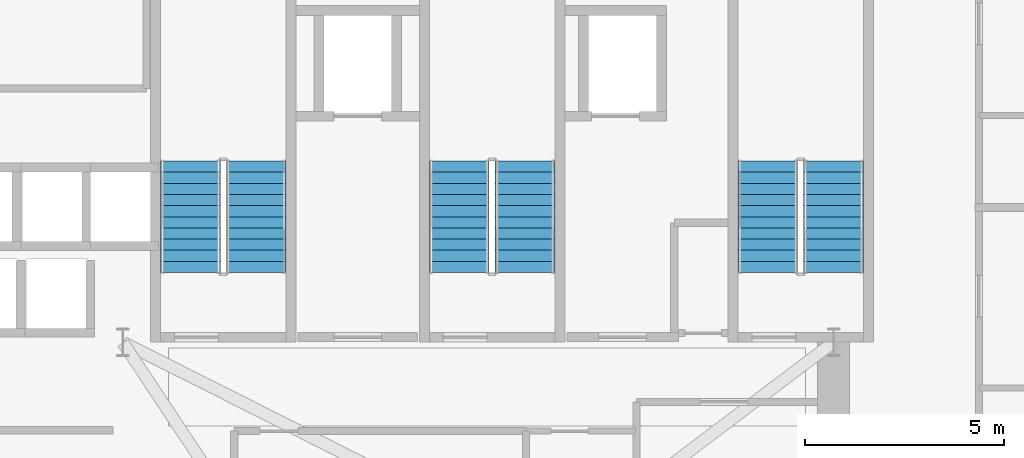
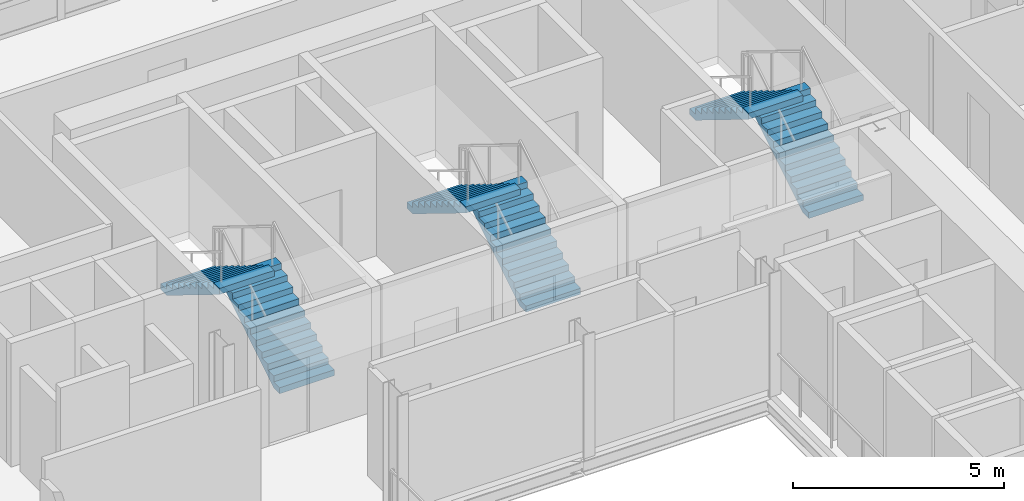
# One storey, part 11 of 14: 6 stair flights, 3 elements without a shape of their own.
"""IFC4 building model written with IfcOpenShell, lengths in metres."""

import ifcopenshell
import ifcopenshell.guid

model = None  # the IFC model being written
_history = None  # IfcOwnerHistory: only IFC2X3 demands one
_inside = {}  # id of a spatial element -> (the spatial element, [elements in it])
_under = {}  # id of a project, library or spatial element -> (it, [spatial elements below it])
_declared = {}  # id of a project -> (the project, [libraries it declares])
_typed = {}  # id of a type object -> (the type object, [elements of that type])
_made_of = {}  # id of a material, layer set ... -> (it, [elements and type objects made of it])


def new_model(schema):
    """Start an empty IFC model of exactly this schema.

    Asked for "IFC4X3", IfcOpenShell would pick the latest addendum, in which some entities
    have other attributes; the version numbers below select the first issue.
    IFC2X3 requires an IfcOwnerHistory on every rooted entity: one is made here for all.
    """
    global model, _history
    if schema == "IFC4X3":
        model = ifcopenshell.file(schema_version=(4, 3, 0, 0))
    else:
        model = ifcopenshell.file(schema=schema)
    _inside.clear()
    _under.clear()
    _declared.clear()
    _typed.clear()
    _made_of.clear()
    _history = None
    if model.schema == "IFC2X3":
        org = make("IfcOrganization", Name="unknown")
        user = make(
            "IfcPersonAndOrganization",
            ThePerson=make("IfcPerson", FamilyName="unknown"),
            TheOrganization=org,
        )
        app = make(
            "IfcApplication",
            ApplicationDeveloper=org,
            Version="unknown",
            ApplicationFullName="unknown",
            ApplicationIdentifier="unknown",
        )
        _history = make(
            "IfcOwnerHistory",
            OwningUser=user,
            OwningApplication=app,
            ChangeAction="ADDED",
            CreationDate=0,
        )
    return model


def make(cls, **values):
    """One entity of the class cls with the attributes given. An attribute that is None is left unset."""
    return model.create_entity(
        cls, **{name: value for name, value in values.items() if value is not None}
    )


def rooted(cls, **values):
    """An entity with a GlobalId (a new one), such as an element, a storey or a relation."""
    return make(cls, GlobalId=ifcopenshell.guid.new(), OwnerHistory=_history, **values)


def si_unit(unit_type, name, prefix=None):
    """IfcSIUnit, for example si_unit("LENGTHUNIT", "METRE", prefix="MILLI")."""
    return make("IfcSIUnit", UnitType=unit_type, Prefix=prefix, Name=name)


def assignment(units):
    """IfcUnitAssignment: the units of a project."""
    return None if units is None else make("IfcUnitAssignment", Units=units)


def point(xyz):
    """IfcCartesianPoint."""
    return None if xyz is None else make("IfcCartesianPoint", Coordinates=xyz)


def direction(xyz):
    """IfcDirection."""
    return None if xyz is None else make("IfcDirection", DirectionRatios=xyz)


def frame(location, z_axis=None, x_axis=None):
    """IfcAxis2Placement3D, a coordinate frame: its origin and axes. An axis left out is left unset."""
    return make(
        "IfcAxis2Placement3D",
        Location=point(location),
        Axis=direction(z_axis),
        RefDirection=direction(x_axis),
    )


def origin():
    """The frame at (0, 0, 0) with its axes left unset."""
    return frame((0.0, 0.0, 0.0))


def place(relative_to, where):
    """IfcLocalPlacement: puts the frame where relative to a parent placement (None: the world)."""
    return make(
        "IfcLocalPlacement", PlacementRelTo=relative_to, RelativePlacement=where
    )


def context(
    kind, dimensions, precision=None, world=None, true_north=None, identifier=None
):
    """IfcGeometricRepresentationContext, for example the 3D "Model" context."""
    return make(
        "IfcGeometricRepresentationContext",
        ContextIdentifier=identifier,
        ContextType=kind,
        CoordinateSpaceDimension=dimensions,
        Precision=precision,
        WorldCoordinateSystem=world,
        TrueNorth=true_north,
    )


def subcontext(parent, identifier, kind, view, scale=None):
    """IfcGeometricRepresentationSubContext, for example "Body" below "Model"."""
    return make(
        "IfcGeometricRepresentationSubContext",
        ContextIdentifier=identifier,
        ContextType=kind,
        ParentContext=parent,
        TargetScale=scale,
        TargetView=view,
    )


def project(units=None, contexts=None):
    """IfcProject with its units and contexts."""
    return rooted(
        "IfcProject",
        Name="project",
        RepresentationContexts=contexts,
        UnitsInContext=assignment(units),
    )


def spatial(cls, under=None, at=None, **own):
    """A site, building, storey or space (cls), placed at a placement, below another one or the project."""
    s = rooted(cls, ObjectPlacement=at, **own)
    if under is not None:
        _under.setdefault(under.id(), (under, []))[1].append(s)
    return s


def polyline(points):
    """IfcPolyline through the points."""
    return make("IfcPolyline", Points=[point(p) for p in points])


def outline(outer, holes=None, kind="AREA"):
    """IfcArbitraryClosedProfileDef: a profile drawn as a closed curve; with holes, ...WithVoids."""
    if holes is None:
        return make("IfcArbitraryClosedProfileDef", ProfileType=kind, OuterCurve=outer)
    return make(
        "IfcArbitraryProfileDefWithVoids",
        ProfileType=kind,
        OuterCurve=outer,
        InnerCurves=holes,
    )


def extrude(swept, where, along, depth):
    """IfcExtrudedAreaSolid: the profile swept, set in the frame where, extruded along a direction by depth."""
    return make(
        "IfcExtrudedAreaSolid",
        SweptArea=swept,
        Position=where,
        ExtrudedDirection=direction(along),
        Depth=depth,
    )


def shape(context_of_items, identifier, shape_type, items):
    """IfcShapeRepresentation: the items that make up one representation, for example the "Body"."""
    return make(
        "IfcShapeRepresentation",
        ContextOfItems=context_of_items,
        RepresentationIdentifier=identifier,
        RepresentationType=shape_type,
        Items=items,
    )


def source(mapping_origin, context_of_items, identifier, shape_type, items):
    """IfcRepresentationMap: a shape defined once, which mapped items show again and again."""
    return make(
        "IfcRepresentationMap",
        MappingOrigin=mapping_origin,
        MappedRepresentation=shape(context_of_items, identifier, shape_type, items),
    )


def transform(
    local_origin,
    x_axis=None,
    y_axis=None,
    z_axis=None,
    scale=None,
    scale2=None,
    scale3=None,
    uniform=True,
):
    """IfcCartesianTransformationOperator3D, or its non-uniform kind. x_axis, y_axis, z_axis: its Axis1, 2, 3."""
    if uniform:
        return make(
            "IfcCartesianTransformationOperator3D",
            Axis1=direction(x_axis),
            Axis2=direction(y_axis),
            LocalOrigin=point(local_origin),
            Scale=scale,
            Axis3=direction(z_axis),
        )
    return make(
        "IfcCartesianTransformationOperator3DnonUniform",
        Axis1=direction(x_axis),
        Axis2=direction(y_axis),
        LocalOrigin=point(local_origin),
        Scale=scale,
        Axis3=direction(z_axis),
        Scale2=scale2,
        Scale3=scale3,
    )


def mapped(mapping_source, mapping_target):
    """IfcMappedItem: shows the shape of a source again, moved by a transform."""
    return make(
        "IfcMappedItem", MappingSource=mapping_source, MappingTarget=mapping_target
    )


def material(Name=None, Category=None):
    """IfcMaterial."""
    return make("IfcMaterial", Name=Name, Category=Category)


def made_of(thing, what):
    """Note that an element or type object is made of a material, layer set ...; save() writes the relation."""
    if what is not None:
        _made_of.setdefault(what.id(), (what, []))[1].append(thing)
    return thing


def type_object(cls, material=None, **own):
    """A type object (cls), such as IfcWallType, which elements share."""
    return made_of(rooted(cls, **own), material)


def element(
    cls,
    number,
    at=None,
    inside=None,
    cuts=None,
    type_object=None,
    material=None,
    context=None,
    identifier="Body",
    shape_type=None,
    held_by="IfcProductDefinitionShape",
    body=None,
    shapes=None,
    **own,
):
    """One element of the class cls, such as IfcWall. Its Tag is "e" and its number.

    at: its placement. inside: the storey or other place that contains it. cuts: it is an
    opening in that element (IfcRelVoidsElement). A single representation is given by context,
    identifier, shape_type and body (its items); several are given by shapes. held_by: the class
    of the entity that holds the representations. save() writes the other relations.
    """
    e = rooted(cls, Tag="e%d" % number, ObjectPlacement=at, **own)
    if body is not None:
        shapes = [shape(context, identifier, shape_type, body)]
    if shapes is not None:
        e.Representation = make(held_by, Representations=shapes)
    if inside is not None:
        _inside.setdefault(inside.id(), (inside, []))[1].append(e)
    if cuts is not None:
        rooted(
            "IfcRelVoidsElement", RelatingBuildingElement=cuts, RelatedOpeningElement=e
        )
    if type_object is not None:
        _typed.setdefault(type_object.id(), (type_object, []))[1].append(e)
    return made_of(e, material)


def aggregate(whole, parts):
    """IfcRelAggregates: a whole, such as a stair, and the parts it consists of."""
    return rooted("IfcRelAggregates", RelatingObject=whole, RelatedObjects=parts)


def save(model, path):
    """Write the relations noted so far, then the file.

    IfcRelAggregates (storeys below a building ...), IfcRelContainedInSpatialStructure (elements
    in a storey), IfcRelDefinesByType, IfcRelAssociatesMaterial and IfcRelDeclares: one each for
    every whole, place, type object, material and project.
    """
    for whole, parts in _under.values():
        aggregate(whole, parts)
    for where, things in _inside.values():
        rooted(
            "IfcRelContainedInSpatialStructure",
            RelatedElements=things,
            RelatingStructure=where,
        )
    for kind, things in _typed.values():
        rooted("IfcRelDefinesByType", RelatedObjects=things, RelatingType=kind)
    for what, things in _made_of.values():
        rooted("IfcRelAssociatesMaterial", RelatedObjects=things, RelatingMaterial=what)
    for by, libraries in _declared.values():
        rooted("IfcRelDeclares", RelatingContext=by, RelatedDefinitions=libraries)
    model.write(path)


model = new_model("IFC4")

# Units and contexts
model_context = context("Model", 3, precision=1e-05, world=origin(), true_north=direction((0.0, 1.0)))
body_context = subcontext(model_context, "Body", "Model", "MODEL_VIEW")
ifc_project = project(units=[si_unit("LENGTHUNIT", "METRE"), si_unit("AREAUNIT", "SQUARE_METRE"), si_unit("VOLUMEUNIT", "CUBIC_METRE"), si_unit("PLANEANGLEUNIT", "RADIAN"), si_unit("MASSUNIT", "GRAM", prefix="KILO")], contexts=[model_context])

# Site, building, storey
site_placement = place(None, origin())
site = spatial("IfcSite", under=ifc_project, at=site_placement, CompositionType="ELEMENT")
building_placement = place(site_placement, origin())
building = spatial("IfcBuilding", under=site, at=building_placement, Name="Vardaveli Station Tower", CompositionType="ELEMENT")
storey_placement = place(building_placement, frame((0.0, 0.0, 177.199951171875)))
storey = spatial("IfcBuildingStorey", under=building, at=storey_placement, Name="L45", CompositionType="ELEMENT", Elevation=177.199951171875)

# Stair, stair flights
ifc_material = material(Name="Concrete C40/50", Category="concrete")
stair_type = type_object("IfcStairType", Name="STR-CORE-1500", PredefinedType="HALF_TURN_STAIR", material=ifc_material)
stair_1_placement = place(storey_placement, origin())
stair_1 = element("IfcStair", 1, at=stair_1_placement, inside=storey, type_object=stair_type, Name="L45 ST-1", PredefinedType="HALF_TURN_STAIR")
stair_flight_type = type_object("IfcStairFlightType", Name="SFL-CORE-1500", PredefinedType="STRAIGHT", material=ifc_material)
shared_shape = source(origin(), body_context, "Body", "SweptSolid", [
    extrude(outline(polyline([(0.0, 0.0), (0.0, 0.172607421875), (0.280029296875, 0.172607421875), (0.280029296875, 0.345458984375), (0.56005859375, 0.345458984375), (0.56005859375, 0.51806640625), (0.840087890625, 0.51806640625), (0.840087890625, 0.69091796875), (1.1201171875, 0.69091796875), (1.1201171875, 0.863525390625), (1.39990234375, 0.863525390625), (1.39990234375, 1.036376953125), (1.679931640625, 1.036376953125), (1.679931640625, 1.208984375), (1.9599609375, 1.208984375), (1.9599609375, 1.3818359375), (2.239990234375, 1.3818359375), (2.239990234375, 1.554443359375), (2.52001953125, 1.554443359375), (2.52001953125, 1.727294921875), (2.800048828125, 1.727294921875), (2.800048828125, 1.89990234375), (2.800048828125, 1.551025390625), (0.285400390625, 0.0), (0.0, 0.0)])), frame((0.0, 0.75, 0.0), z_axis=(0.0, -1.0, 0.0), x_axis=(1.0, 0.0, 0.0)), (0.0, 0.0, 1.0), 1.5),
])
stair_flight_1_placement = place(storey_placement, frame((32.0, 32.39990234375, 0.0), z_axis=(0.0, 0.0, 1.0), x_axis=(0.0, 1.0, 0.0)))
stair_flight_1 = element("IfcStairFlight", 2, at=stair_flight_1_placement, type_object=stair_flight_type, Name="ST-1 flight 1", NumberOfRisers=11, NumberOfTreads=10, PredefinedType="STRAIGHT", RiserHeight=0.172727273, TreadLength=0.28, context=body_context, shape_type="MappedRepresentation", body=[
    mapped(shared_shape, transform((0.0, 0.0, 0.0), scale=1.0)),
])
stair_flight_2_placement = place(storey_placement, frame((30.35009765625, 35.199951171875, 1.900146484375), z_axis=(0.0, 0.0, 1.0), x_axis=(0.0, -1.0, 0.0)))
stair_flight_2 = element("IfcStairFlight", 3, at=stair_flight_2_placement, type_object=stair_flight_type, Name="ST-1 flight 2", NumberOfRisers=11, NumberOfTreads=10, PredefinedType="STRAIGHT", RiserHeight=0.172727273, TreadLength=0.28, context=body_context, shape_type="MappedRepresentation", body=[
    mapped(shared_shape, transform((0.0, 0.0, 0.0), scale=1.0)),
])
aggregate(stair_1, [stair_flight_1, stair_flight_2])

stair_2_placement = place(storey_placement, origin())
stair_2 = element("IfcStair", 4, at=stair_2_placement, inside=storey, type_object=stair_type, Name="L45 ST-2", PredefinedType="HALF_TURN_STAIR")
stair_flight_3_placement = place(storey_placement, frame((38.75, 32.39990234375, 0.0), z_axis=(0.0, 0.0, 1.0), x_axis=(0.0, 1.0, 0.0)))
stair_flight_3 = element("IfcStairFlight", 5, at=stair_flight_3_placement, type_object=stair_flight_type, Name="ST-2 flight 1", NumberOfRisers=11, NumberOfTreads=10, PredefinedType="STRAIGHT", RiserHeight=0.172727273, TreadLength=0.28, context=body_context, shape_type="MappedRepresentation", body=[
    mapped(shared_shape, transform((0.0, 0.0, 0.0), scale=1.0)),
])
stair_flight_4_placement = place(storey_placement, frame((37.10009765625, 35.199951171875, 1.900146484375), z_axis=(0.0, 0.0, 1.0), x_axis=(0.0, -1.0, 0.0)))
stair_flight_4 = element("IfcStairFlight", 6, at=stair_flight_4_placement, type_object=stair_flight_type, Name="ST-2 flight 2", NumberOfRisers=11, NumberOfTreads=10, PredefinedType="STRAIGHT", RiserHeight=0.172727273, TreadLength=0.28, context=body_context, shape_type="MappedRepresentation", body=[
    mapped(shared_shape, transform((0.0, 0.0, 0.0), scale=1.0)),
])
aggregate(stair_2, [stair_flight_3, stair_flight_4])

stair_3_placement = place(storey_placement, origin())
stair_3 = element("IfcStair", 7, at=stair_3_placement, inside=storey, type_object=stair_type, Name="L45 ST-3", PredefinedType="HALF_TURN_STAIR")
stair_flight_5_placement = place(storey_placement, frame((46.5, 32.39990234375, 0.0), z_axis=(0.0, 0.0, 1.0), x_axis=(0.0, 1.0, 0.0)))
stair_flight_5 = element("IfcStairFlight", 8, at=stair_flight_5_placement, type_object=stair_flight_type, Name="ST-3 flight 1", NumberOfRisers=11, NumberOfTreads=10, PredefinedType="STRAIGHT", RiserHeight=0.172727273, TreadLength=0.28, context=body_context, shape_type="MappedRepresentation", body=[
    mapped(shared_shape, transform((0.0, 0.0, 0.0), scale=1.0)),
])
stair_flight_6_placement = place(storey_placement, frame((44.85009765625, 35.199951171875, 1.900146484375), z_axis=(0.0, 0.0, 1.0), x_axis=(0.0, -1.0, 0.0)))
stair_flight_6 = element("IfcStairFlight", 9, at=stair_flight_6_placement, type_object=stair_flight_type, Name="ST-3 flight 2", NumberOfRisers=11, NumberOfTreads=10, PredefinedType="STRAIGHT", RiserHeight=0.172727273, TreadLength=0.28, context=body_context, shape_type="MappedRepresentation", body=[
    mapped(shared_shape, transform((0.0, 0.0, 0.0), scale=1.0)),
])
aggregate(stair_3, [stair_flight_5, stair_flight_6])

save(model, "model.ifc")
